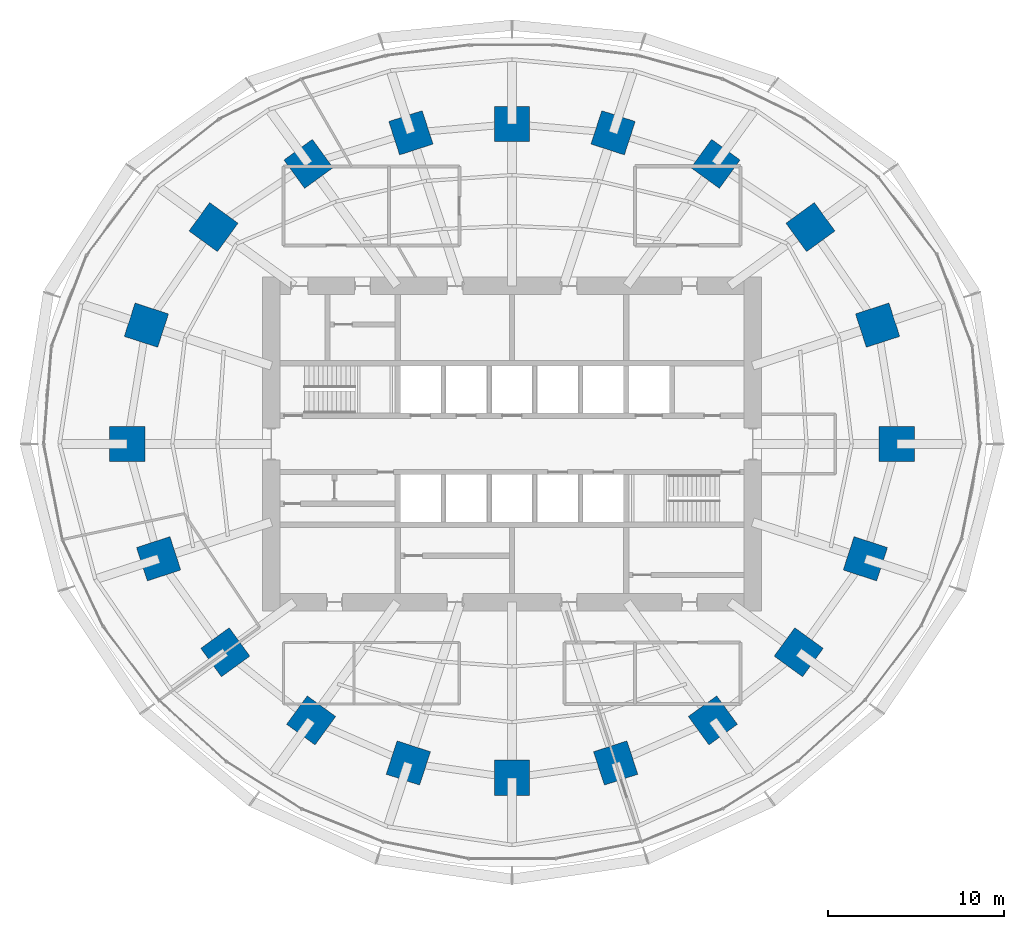
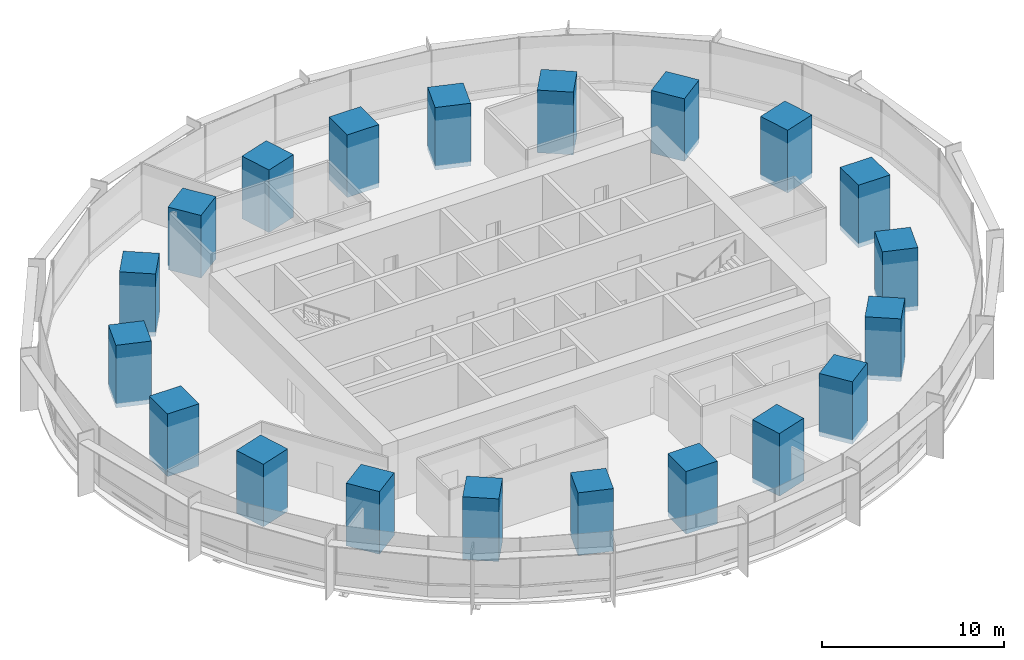
# One storey, part 1 of 15: 20 columns.
"""IFC4 building model written with IfcOpenShell, lengths in metres."""

from ifc_helpers import new_model, si_unit, direction, frame, origin, origin_2d, place, context, subcontext, project, spatial, rectangle, extrude, material, material_profile, profile_set, type_object, element, save


model = new_model("IFC4")

# Units and contexts
model_context = context("Model", 3, precision=1e-05, world=origin(), true_north=direction((0.0, 1.0)))
body_context = subcontext(model_context, "Body", "Model", "MODEL_VIEW")
ifc_project = project(units=[si_unit("LENGTHUNIT", "METRE"), si_unit("AREAUNIT", "SQUARE_METRE"), si_unit("VOLUMEUNIT", "CUBIC_METRE"), si_unit("PLANEANGLEUNIT", "RADIAN"), si_unit("MASSUNIT", "GRAM", prefix="KILO")], contexts=[model_context])

# Site, building, storey
site_placement = place(None, origin())
site = spatial("IfcSite", under=ifc_project, at=site_placement, CompositionType="ELEMENT")
building_placement = place(site_placement, origin())
building = spatial("IfcBuilding", under=site, at=building_placement, Name="Marramba Exchange Tower", CompositionType="ELEMENT")
storey_placement = place(building_placement, frame((0.0, 0.0, 28.0)))
storey = spatial("IfcBuildingStorey", under=building, at=storey_placement, Name="L06", CompositionType="ELEMENT", Elevation=28.0)

# Columns
ifc_material = material(Name="Concrete N50", Category="concrete")
ifc_material_profile = material_profile(ifc_material, rectangle(XDim=2.0, YDim=2.0, at=origin_2d()), Name="RC 2000x2000")
ifc_profile_set = profile_set([ifc_material_profile], Name="Concrete N50")
column_type = type_object("IfcColumnType", Name="Perimeter column RC 2000x2000 N50", PredefinedType="COLUMN", material=ifc_profile_set)
for number, where, z_axis, x_axis, name in (
    (1, (21.89990234375, 0.0, 0.0), (0.0, 0.0, 1.0), (1.0, 0.0, 0.0), "Column TC01 L06"),
    (2, (20.808349609375, 6.760986328125, 0.0), (0.0, 0.0, 1.0), (0.951056516295, 0.309016994375, 0.0), "Column TC02 L06"),
    (3, (16.98583984375, 12.3408203125, 0.0), (0.0, 0.0, 1.0), (0.809016994375, 0.587785252292, 0.0), "Column TC03 L06"),
    (4, (11.581298828125, 15.9404296875, 0.0), (0.0, 0.0, 1.0), (0.587785252292, 0.809016994375, 0.0), "Column TC04 L06"),
    (5, (5.75390625, 17.70849609375, 0.0), (0.0, 0.0, 1.0), (0.309016994375, 0.951056516295, 0.0), "Column TC05 L06"),
    (6, (0.0, 18.2041015625, 0.0), (0.0, 0.0, 1.0), (0.0, 1.0, 0.0), "Column TC06 L06"),
    (7, (-5.75390625, 17.70849609375, 0.0), (0.0, 0.0, 1.0), (-0.309016994375, 0.951056516295, 0.0), "Column TC07 L06"),
    (8, (-11.581298828125, 15.9404296875, 0.0), (0.0, 0.0, 1.0), (-0.587785252292, 0.809016994375, 0.0), "Column TC08 L06"),
    (9, (-16.98583984375, 12.3408203125, 0.0), (0.0, 0.0, 1.0), (-0.809016994375, 0.587785252292, 0.0), "Column TC09 L06"),
    (10, (-20.808349609375, 6.760986328125, 0.0), (0.0, 0.0, 1.0), (-0.951056516295, 0.309016994375, 0.0), "Column TC10 L06"),
    (11, (-21.89990234375, 0.0, 0.0), (0.0, 0.0, 1.0), (-1.0, 0.0, 0.0), "Column TC11 L06"),
    (12, (-20.109375, -6.533935546875, 0.0), (0.0, 0.0, 1.0), (-0.951056516295, -0.309016994375, 0.0), "Column TC12 L06"),
    (13, (-16.3154296875, -11.853759765625, 0.0), (0.0, 0.0, 1.0), (-0.809016994375, -0.587785252292, 0.0), "Column TC13 L06"),
    (14, (-11.430419921875, -15.732666015625, 0.0), (0.0, 0.0, 1.0), (-0.587785252292, -0.809016994375, 0.0), "Column TC14 L06"),
    (15, (-5.899658203125, -18.156982421875, 0.0), (0.0, 0.0, 1.0), (-0.309016994375, -0.951056516295, 0.0), "Column TC15 L06"),
    (16, (0.0, -18.99609375, 0.0), (0.0, 0.0, 1.0), (0.0, -1.0, 0.0), "Column TC16 L06"),
    (17, (5.899658203125, -18.156982421875, 0.0), (0.0, 0.0, 1.0), (0.309016994375, -0.951056516295, 0.0), "Column TC17 L06"),
    (18, (11.430419921875, -15.732666015625, 0.0), (0.0, 0.0, 1.0), (0.587785252292, -0.809016994375, 0.0), "Column TC18 L06"),
    (19, (16.3154296875, -11.853759765625, 0.0), (0.0, 0.0, 1.0), (0.809016994375, -0.587785252292, 0.0), "Column TC19 L06"),
    (20, (20.109375, -6.533935546875, 0.0), (0.0, 0.0, 1.0), (0.951056516295, -0.309016994375, 0.0), "Column TC20 L06"),
):
    element("IfcColumn", number, at=place(storey_placement, frame(where, z_axis=z_axis, x_axis=x_axis)), inside=storey, type_object=column_type, Name=name, PredefinedType="COLUMN", context=body_context, shape_type="SweptSolid", body=[
        extrude(rectangle(XDim=2.0, YDim=2.0, at=origin_2d()), origin(), (0.0, 0.0, 1.0), 4.199951171875),
    ])

save(model, "model.ifc")
